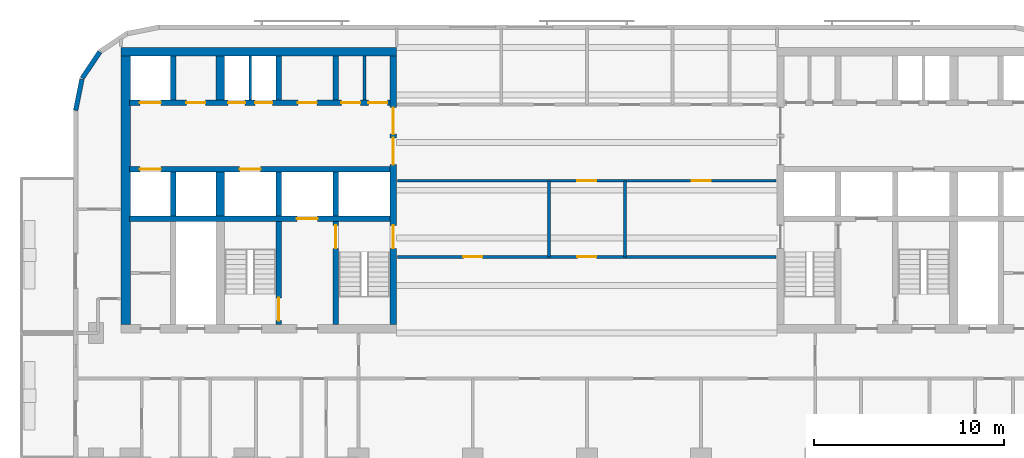
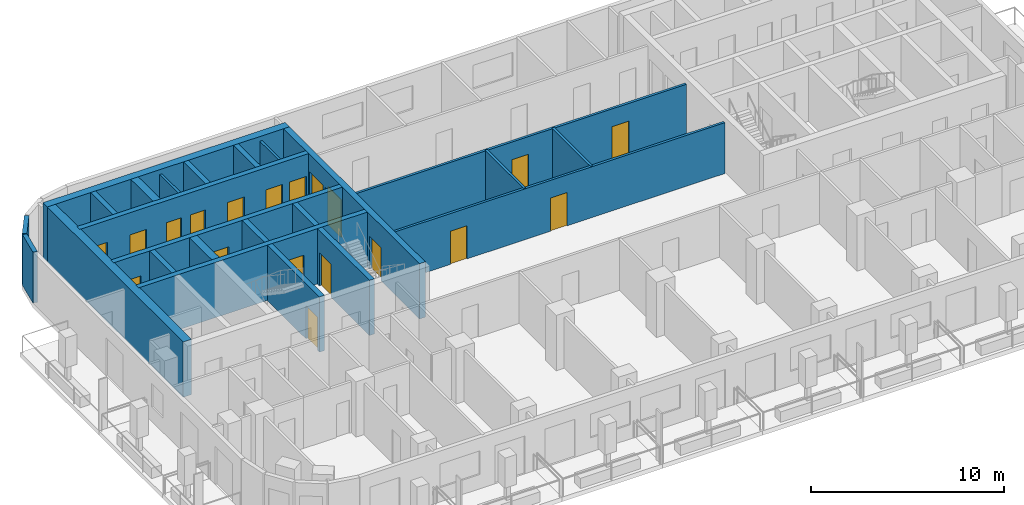
# One storey, part 4 of 11: 24 walls, 19 doors, 19 openings.
"""IFC4 building model written with IfcOpenShell, lengths in metres."""

from ifc_helpers import new_model, si_unit, direction, frame, frame_2d, origin, place, context, subcontext, project, spatial, rectangle, extrude, material, layer, layer_set, type_object, element, fill, save


model = new_model("IFC4")

# Units and contexts
model_context = context("Model", 3, precision=1e-05, world=origin(), true_north=direction((0.0, 1.0)))
body_context = subcontext(model_context, "Body", "Model", "MODEL_VIEW")
ifc_project = project(units=[si_unit("LENGTHUNIT", "METRE"), si_unit("AREAUNIT", "SQUARE_METRE"), si_unit("VOLUMEUNIT", "CUBIC_METRE"), si_unit("PLANEANGLEUNIT", "RADIAN"), si_unit("MASSUNIT", "GRAM", prefix="KILO")], contexts=[model_context])

# Site, building, storey
site_placement = place(None, origin())
site = spatial("IfcSite", under=ifc_project, at=site_placement, CompositionType="ELEMENT")
building_placement = place(site_placement, origin())
building = spatial("IfcBuilding", under=site, at=building_placement, Name="Torana Hotel and Residences", CompositionType="ELEMENT")
storey_placement = place(building_placement, frame((0.0, 0.0, 239.60009765625)))
storey = spatial("IfcBuildingStorey", under=building, at=storey_placement, Name="L63", CompositionType="ELEMENT", Elevation=239.60009765625)

# Wall, openings, doors
ifc_material_1 = material(Name="Concrete C70/85", Category="concrete")
ifc_layer_1 = layer(ifc_material_1, 0.300048828125)
ifc_layer_set_1 = layer_set([ifc_layer_1], Name="CORE WALL 300 C70/85")
wall_type_1 = type_object("IfcWallType", Name="CORE WALL 300 C70/85", PredefinedType="SHEAR", material=ifc_layer_set_1)
wall_1_placement = place(storey_placement, frame((-24.050048828125, -2.89990234375, 0.0), z_axis=(0.0, 0.0, 1.0), x_axis=(1.0, 0.0, 0.0)))
wall_1 = element("IfcWall", 1, at=wall_1_placement, inside=storey, type_object=wall_type_1, Name="Core wall W row-N", PredefinedType="SHEAR", context=body_context, shape_type="SweptSolid", body=[
    extrude(rectangle(XDim=13.699951171875, YDim=0.300048828125, at=frame_2d((6.85009765625, 0.0))), origin(), (0.0, 0.0, 1.0), 3.5),
])
opening_1_placement = place(wall_1_placement, frame((0.550048828125, 0.0, 0.0)))
opening_1 = element("IfcOpeningElement", 2, at=opening_1_placement, cuts=wall_1, Name="Opening LD", PredefinedType="OPENING", context=body_context, shape_type="SweptSolid", body=[
    extrude(rectangle(XDim=1.10009765625, YDim=2.10009765625, at=frame_2d((0.550048828125, 1.050048828125))), frame((0.0, 0.159912109375, 0.0), z_axis=(0.0, -1.0, 0.0), x_axis=(1.0, 0.0, 0.0)), (0.0, 0.0, 1.0), 0.320068359375),
])
opening_2_placement = place(wall_1_placement, frame((6.612548828125, 0.0, 0.0)))
opening_2 = element("IfcOpeningElement", 3, at=opening_2_placement, cuts=wall_1, Name="Opening L63-08", PredefinedType="OPENING", context=body_context, shape_type="SweptSolid", body=[
    extrude(rectangle(XDim=0.89990234375, YDim=2.10009765625, at=frame_2d((0.449951171875, 1.050048828125))), frame((0.0, 0.159912109375, 0.0), z_axis=(0.0, -1.0, 0.0), x_axis=(1.0, 0.0, 0.0)), (0.0, 0.0, 1.0), 0.320068359375),
])
opening_3_placement = place(wall_1_placement, frame((5.1875, 0.0, 0.0)))
opening_3 = element("IfcOpeningElement", 4, at=opening_3_placement, cuts=wall_1, Name="Opening L63-09", PredefinedType="OPENING", context=body_context, shape_type="SweptSolid", body=[
    extrude(rectangle(XDim=0.89990234375, YDim=2.10009765625, at=frame_2d((0.449951171875, 1.050048828125))), frame((0.0, 0.159912109375, 0.0), z_axis=(0.0, -1.0, 0.0), x_axis=(1.0, 0.0, 0.0)), (0.0, 0.0, 1.0), 0.320068359375),
])
opening_4_placement = place(wall_1_placement, frame((12.5625, 0.0, 0.0)))
opening_4 = element("IfcOpeningElement", 5, at=opening_4_placement, cuts=wall_1, Name="Opening L63-10", PredefinedType="OPENING", context=body_context, shape_type="SweptSolid", body=[
    extrude(rectangle(XDim=1.0, YDim=2.10009765625, at=frame_2d((0.5, 1.050048828125))), frame((0.0, 0.159912109375, 0.0), z_axis=(0.0, -1.0, 0.0), x_axis=(1.0, 0.0, 0.0)), (0.0, 0.0, 1.0), 0.320068359375),
])
opening_5_placement = place(wall_1_placement, frame((11.137451171875, 0.0, 0.0)))
opening_5 = element("IfcOpeningElement", 6, at=opening_5_placement, cuts=wall_1, Name="Opening L63-11", PredefinedType="OPENING", context=body_context, shape_type="SweptSolid", body=[
    extrude(rectangle(XDim=1.0, YDim=2.10009765625, at=frame_2d((0.5, 1.050048828125))), frame((0.0, 0.159912109375, 0.0), z_axis=(0.0, -1.0, 0.0), x_axis=(1.0, 0.0, 0.0)), (0.0, 0.0, 1.0), 0.320068359375),
])
opening_6_placement = place(wall_1_placement, frame((8.85009765625, 0.0, 0.0)))
opening_6 = element("IfcOpeningElement", 7, at=opening_6_placement, cuts=wall_1, Name="Opening L63-12", PredefinedType="OPENING", context=body_context, shape_type="SweptSolid", body=[
    extrude(rectangle(XDim=1.0, YDim=2.10009765625, at=frame_2d((0.5, 1.050048828125))), frame((0.0, 0.159912109375, 0.0), z_axis=(0.0, -1.0, 0.0), x_axis=(1.0, 0.0, 0.0)), (0.0, 0.0, 1.0), 0.320068359375),
])
opening_7_placement = place(wall_1_placement, frame((3.0, 0.0, 0.0)))
opening_7 = element("IfcOpeningElement", 8, at=opening_7_placement, cuts=wall_1, Name="Opening L63-13", PredefinedType="OPENING", context=body_context, shape_type="SweptSolid", body=[
    extrude(rectangle(XDim=1.0, YDim=2.10009765625, at=frame_2d((0.5, 1.050048828125))), frame((0.0, 0.159912109375, 0.0), z_axis=(0.0, -1.0, 0.0), x_axis=(1.0, 0.0, 0.0)), (0.0, 0.0, 1.0), 0.320068359375),
])
ifc_material_2 = material(Name="Steel S235", Category="steel")
door_type_1 = type_object("IfcDoorType", Name="CORE ROOM FIRE DOOR D14 1000x2100", OperationType="SINGLE_SWING_LEFT", PredefinedType="DOOR", material=ifc_material_2)
door_1_placement = place(opening_4_placement, origin())
door_1 = element("IfcDoor", 9, at=door_1_placement, inside=storey, type_object=door_type_1, Name="N0A door L63", OperationType="SINGLE_SWING_RIGHT", OverallHeight=2.10009765625, OverallWidth=1.0, PredefinedType="DOOR", context=body_context, shape_type="SweptSolid", body=[
    extrude(rectangle(XDim=1.0, YDim=2.10009765625, at=frame_2d((0.5, 1.050048828125))), frame((0.0, 0.02490234375, 0.0), z_axis=(0.0, -1.0, 0.0), x_axis=(1.0, 0.0, 0.0)), (0.0, 0.0, 1.0), 0.050048828125),
])
fill(opening_4, door_1)
door_2_placement = place(opening_5_placement, origin())
door_2 = element("IfcDoor", 10, at=door_2_placement, inside=storey, type_object=door_type_1, Name="N0B door L63", OperationType="SINGLE_SWING_RIGHT", OverallHeight=2.10009765625, OverallWidth=1.0, PredefinedType="DOOR", context=body_context, shape_type="SweptSolid", body=[
    extrude(rectangle(XDim=1.0, YDim=2.10009765625, at=frame_2d((0.5, 1.050048828125))), frame((0.0, 0.02490234375, 0.0), z_axis=(0.0, -1.0, 0.0), x_axis=(1.0, 0.0, 0.0)), (0.0, 0.0, 1.0), 0.050048828125),
])
fill(opening_5, door_2)
door_3_placement = place(opening_6_placement, origin())
door_3 = element("IfcDoor", 11, at=door_3_placement, inside=storey, type_object=door_type_1, Name="N1 door L63", OperationType="SINGLE_SWING_RIGHT", OverallHeight=2.10009765625, OverallWidth=1.0, PredefinedType="DOOR", context=body_context, shape_type="SweptSolid", body=[
    extrude(rectangle(XDim=1.0, YDim=2.10009765625, at=frame_2d((0.5, 1.050048828125))), frame((0.0, 0.02490234375, 0.0), z_axis=(0.0, -1.0, 0.0), x_axis=(1.0, 0.0, 0.0)), (0.0, 0.0, 1.0), 0.050048828125),
])
fill(opening_6, door_3)
door_4_placement = place(opening_7_placement, origin())
door_4 = element("IfcDoor", 12, at=door_4_placement, inside=storey, type_object=door_type_1, Name="Freed-S1 door L63", OperationType="SINGLE_SWING_RIGHT", OverallHeight=2.10009765625, OverallWidth=1.0, PredefinedType="DOOR", context=body_context, shape_type="SweptSolid", body=[
    extrude(rectangle(XDim=1.0, YDim=2.10009765625, at=frame_2d((0.5, 1.050048828125))), frame((0.0, 0.02490234375, 0.0), z_axis=(0.0, -1.0, 0.0), x_axis=(1.0, 0.0, 0.0)), (0.0, 0.0, 1.0), 0.050048828125),
])
fill(opening_7, door_4)
ifc_material_3 = material(Name="Stainless steel 316", Category="steel")
door_type_2 = type_object("IfcDoorType", Name="LIFT LANDING DOOR LD 1100x2100", OperationType="DOUBLE_DOOR_SLIDING", PredefinedType="USERDEFINED", material=ifc_material_3)
door_5_placement = place(opening_1_placement, origin())
door_5 = element("IfcDoor", 13, at=door_5_placement, inside=storey, type_object=door_type_2, Name="Lift landing door M1 L63", ObjectType="LIFT LANDING DOOR", OperationType="DOUBLE_DOOR_SLIDING", OverallHeight=2.10009765625, OverallWidth=1.10009765625, PredefinedType="USERDEFINED", context=body_context, shape_type="SweptSolid", body=[
    extrude(rectangle(XDim=1.10009765625, YDim=2.10009765625, at=frame_2d((0.550048828125, 1.050048828125))), frame((0.0, 0.02490234375, 0.0), z_axis=(0.0, -1.0, 0.0), x_axis=(1.0, 0.0, 0.0)), (0.0, 0.0, 1.0), 0.050048828125),
])
fill(opening_1, door_5)
ifc_material_4 = material(Name="Steel S235", Category="steel")
door_type_3 = type_object("IfcDoorType", Name="RISER ACCESS DOOR D5 900x2100", OperationType="SINGLE_SWING_LEFT", PredefinedType="DOOR", material=ifc_material_4)
door_6_placement = place(opening_2_placement, origin())
door_6 = element("IfcDoor", 14, at=door_6_placement, inside=storey, type_object=door_type_3, Name="N2A door L63", OperationType="SINGLE_SWING_RIGHT", OverallHeight=2.10009765625, OverallWidth=0.89990234375, PredefinedType="DOOR", context=body_context, shape_type="SweptSolid", body=[
    extrude(rectangle(XDim=0.89990234375, YDim=2.10009765625, at=frame_2d((0.449951171875, 1.050048828125))), frame((0.0, 0.02490234375, 0.0), z_axis=(0.0, -1.0, 0.0), x_axis=(1.0, 0.0, 0.0)), (0.0, 0.0, 1.0), 0.050048828125),
])
fill(opening_2, door_6)
door_7_placement = place(opening_3_placement, origin())
door_7 = element("IfcDoor", 15, at=door_7_placement, inside=storey, type_object=door_type_3, Name="N2B door L63", OperationType="SINGLE_SWING_RIGHT", OverallHeight=2.10009765625, OverallWidth=0.89990234375, PredefinedType="DOOR", context=body_context, shape_type="SweptSolid", body=[
    extrude(rectangle(XDim=0.89990234375, YDim=2.10009765625, at=frame_2d((0.449951171875, 1.050048828125))), frame((0.0, 0.02490234375, 0.0), z_axis=(0.0, -1.0, 0.0), x_axis=(1.0, 0.0, 0.0)), (0.0, 0.0, 1.0), 0.050048828125),
])
fill(opening_3, door_7)

wall_2_placement = place(storey_placement, frame((-24.050048828125, -6.39990234375, 0.0), z_axis=(0.0, 0.0, 1.0), x_axis=(1.0, 0.0, 0.0)))
wall_2 = element("IfcWall", 16, at=wall_2_placement, inside=storey, type_object=wall_type_1, Name="Core wall W row-S", PredefinedType="SHEAR", context=body_context, shape_type="SweptSolid", body=[
    extrude(rectangle(XDim=13.699951171875, YDim=0.300048828125, at=frame_2d((6.85009765625, 0.0))), origin(), (0.0, 0.0, 1.0), 3.5),
])
opening_8_placement = place(wall_2_placement, frame((0.550048828125, 0.0, 0.0)))
opening_8 = element("IfcOpeningElement", 17, at=opening_8_placement, cuts=wall_2, Name="Opening LD", PredefinedType="OPENING", context=body_context, shape_type="SweptSolid", body=[
    extrude(rectangle(XDim=1.10009765625, YDim=2.10009765625, at=frame_2d((0.550048828125, 1.050048828125))), frame((0.0, 0.159912109375, 0.0), z_axis=(0.0, -1.0, 0.0), x_axis=(1.0, 0.0, 0.0)), (0.0, 0.0, 1.0), 0.320068359375),
])
opening_9_placement = place(wall_2_placement, frame((5.800048828125, 0.0, 0.0)))
opening_9 = element("IfcOpeningElement", 18, at=opening_9_placement, cuts=wall_2, Name="Opening LD", PredefinedType="OPENING", context=body_context, shape_type="SweptSolid", body=[
    extrude(rectangle(XDim=1.10009765625, YDim=2.10009765625, at=frame_2d((0.550048828125, 1.050048828125))), frame((0.0, 0.159912109375, 0.0), z_axis=(0.0, -1.0, 0.0), x_axis=(1.0, 0.0, 0.0)), (0.0, 0.0, 1.0), 0.320068359375),
])
door_8_placement = place(opening_8_placement, origin())
door_8 = element("IfcDoor", 19, at=door_8_placement, inside=storey, type_object=door_type_2, Name="Lift landing door M2 L63", ObjectType="LIFT LANDING DOOR", OperationType="DOUBLE_DOOR_SLIDING", OverallHeight=2.10009765625, OverallWidth=1.10009765625, PredefinedType="USERDEFINED", context=body_context, shape_type="SweptSolid", body=[
    extrude(rectangle(XDim=1.10009765625, YDim=2.10009765625, at=frame_2d((0.550048828125, 1.050048828125))), frame((0.0, 0.02490234375, 0.0), z_axis=(0.0, -1.0, 0.0), x_axis=(1.0, 0.0, 0.0)), (0.0, 0.0, 1.0), 0.050048828125),
])
fill(opening_8, door_8)
door_9_placement = place(opening_9_placement, origin())
door_9 = element("IfcDoor", 20, at=door_9_placement, inside=storey, type_object=door_type_2, Name="Lift landing door SV1 L63", ObjectType="LIFT LANDING DOOR", OperationType="DOUBLE_DOOR_SLIDING", OverallHeight=2.10009765625, OverallWidth=1.10009765625, PredefinedType="USERDEFINED", context=body_context, shape_type="SweptSolid", body=[
    extrude(rectangle(XDim=1.10009765625, YDim=2.10009765625, at=frame_2d((0.550048828125, 1.050048828125))), frame((0.0, 0.02490234375, 0.0), z_axis=(0.0, -1.0, 0.0), x_axis=(1.0, 0.0, 0.0)), (0.0, 0.0, 1.0), 0.050048828125),
])
fill(opening_9, door_9)

# Wall, opening, door
wall_3_placement = place(storey_placement, frame((-24.050048828125, -9.0, 0.0), z_axis=(0.0, 0.0, 1.0), x_axis=(1.0, 0.0, 0.0)))
wall_3 = element("IfcWall", 21, at=wall_3_placement, inside=storey, type_object=wall_type_1, Name="Core wall W band", PredefinedType="SHEAR", context=body_context, shape_type="SweptSolid", body=[
    extrude(rectangle(XDim=13.699951171875, YDim=0.300048828125, at=frame_2d((6.85009765625, 0.0))), origin(), (0.0, 0.0, 1.0), 3.5),
])
opening_10_placement = place(wall_3_placement, frame((8.800048828125, 0.0, 0.0)))
opening_10 = element("IfcOpeningElement", 22, at=opening_10_placement, cuts=wall_3, Name="Opening LD", PredefinedType="OPENING", context=body_context, shape_type="SweptSolid", body=[
    extrude(rectangle(XDim=1.10009765625, YDim=2.10009765625, at=frame_2d((0.550048828125, 1.050048828125))), frame((0.0, 0.159912109375, 0.0), z_axis=(0.0, -1.0, 0.0), x_axis=(1.0, 0.0, 0.0)), (0.0, 0.0, 1.0), 0.320068359375),
])
door_10_placement = place(opening_10_placement, origin())
door_10 = element("IfcDoor", 23, at=door_10_placement, inside=storey, type_object=door_type_2, Name="Lift landing door FF1 L63", ObjectType="LIFT LANDING DOOR", OperationType="DOUBLE_DOOR_SLIDING", OverallHeight=2.10009765625, OverallWidth=1.10009765625, PredefinedType="USERDEFINED", context=body_context, shape_type="SweptSolid", body=[
    extrude(rectangle(XDim=1.10009765625, YDim=2.10009765625, at=frame_2d((0.550048828125, 1.050048828125))), frame((0.0, 0.02490234375, 0.0), z_axis=(0.0, -1.0, 0.0), x_axis=(1.0, 0.0, 0.0)), (0.0, 0.0, 1.0), 0.050048828125),
])
fill(opening_10, door_10)

# Walls
for number, where, z_axis, x_axis, name in (
    (24, (-13.199951171875, -2.75, 0.0), (0.0, 0.0, 1.0), (0.0, 1.0, 0.0), "Core wall W x3.05-N"),
    (25, (-13.199951171875, -8.85009765625, 0.0), (0.0, 0.0, 1.0), (0.0, 1.0, 0.0), "Core wall W x3.05-S"),
):
    element("IfcWall", number, at=place(storey_placement, frame(where, z_axis=z_axis, x_axis=x_axis)), inside=storey, type_object=wall_type_1, Name=name, PredefinedType="SHEAR", context=body_context, shape_type="SweptSolid", body=[
        extrude(rectangle(XDim=2.300048828125, YDim=0.300048828125, at=frame_2d((1.14990234375, 0.0))), origin(), (0.0, 0.0, 1.0), 3.5),
    ])

# Wall, opening, door
wall_4_placement = place(storey_placement, frame((-13.199951171875, -14.550048828125, 0.0), z_axis=(0.0, 0.0, 1.0), x_axis=(0.0, 1.0, 0.0)))
wall_4 = element("IfcWall", 26, at=wall_4_placement, inside=storey, type_object=wall_type_1, Name="Core wall W x3.05-band", PredefinedType="SHEAR", context=body_context, shape_type="SweptSolid", body=[
    extrude(rectangle(XDim=5.400146484375, YDim=0.300048828125, at=frame_2d((2.7001953125, 0.0))), origin(), (0.0, 0.0, 1.0), 3.5),
])
opening_11_placement = place(wall_4_placement, frame((4.0, 0.0, 0.0)))
opening_11 = element("IfcOpeningElement", 27, at=opening_11_placement, cuts=wall_4, Name="Opening L63-14", PredefinedType="OPENING", context=body_context, shape_type="SweptSolid", body=[
    extrude(rectangle(XDim=1.199951171875, YDim=2.10009765625, at=frame_2d((0.60009765625, 1.050048828125))), frame((0.0, 0.159912109375, 0.0), z_axis=(0.0, -1.0, 0.0), x_axis=(1.0, 0.0, 0.0)), (0.0, 0.0, 1.0), 0.320068359375),
])
ifc_material_5 = material(Name="Steel S235", Category="steel")
door_type_4 = type_object("IfcDoorType", Name="STAIR FIRE DOOR D3 1200x2100", OperationType="SINGLE_SWING_LEFT", PredefinedType="DOOR", material=ifc_material_5)
door_11_placement = place(opening_11_placement, frame((0.60009765625, 0.0, 0.0), z_axis=(0.0, 0.0, 1.0), x_axis=(-1.0, 0.0, 0.0)))
door_11 = element("IfcDoor", 28, at=door_11_placement, inside=storey, type_object=door_type_4, Name="Stair-A-lobby door L63", OperationType="SINGLE_SWING_RIGHT", OverallHeight=2.10009765625, OverallWidth=1.199951171875, PredefinedType="DOOR", context=body_context, shape_type="SweptSolid", body=[
    extrude(rectangle(XDim=1.199951171875, YDim=2.10009765625, at=frame_2d((0.0, 1.050048828125))), frame((0.0, -0.02490234375, 0.0), z_axis=(0.0, 1.0, 0.0), x_axis=(-1.0, 0.0, 0.0)), (0.0, 0.0, 1.0), 0.050048828125),
])
fill(opening_11, door_11)

# Walls
for number, where, z_axis, x_axis, name in (
    (29, (-16.199951171875, -2.75, 0.0), (0.0, 0.0, 1.0), (0.0, 1.0, 0.0), "Core wall W x6.05-N"),
    (30, (-16.199951171875, -8.85009765625, 0.0), (0.0, 0.0, 1.0), (0.0, 1.0, 0.0), "Core wall W x6.05-S"),
):
    element("IfcWall", number, at=place(storey_placement, frame(where, z_axis=z_axis, x_axis=x_axis)), inside=storey, type_object=wall_type_1, Name=name, PredefinedType="SHEAR", context=body_context, shape_type="SweptSolid", body=[
        extrude(rectangle(XDim=2.300048828125, YDim=0.300048828125, at=frame_2d((1.14990234375, 0.0))), origin(), (0.0, 0.0, 1.0), 3.5),
    ])

# Wall, opening, door
wall_5_placement = place(storey_placement, frame((-16.199951171875, -14.550048828125, 0.0), z_axis=(0.0, 0.0, 1.0), x_axis=(0.0, 1.0, 0.0)))
wall_5 = element("IfcWall", 31, at=wall_5_placement, inside=storey, type_object=wall_type_1, Name="Core wall W x6.05-band", PredefinedType="SHEAR", context=body_context, shape_type="SweptSolid", body=[
    extrude(rectangle(XDim=5.400146484375, YDim=0.300048828125, at=frame_2d((2.7001953125, 0.0))), origin(), (0.0, 0.0, 1.0), 3.5),
])
opening_12_placement = place(wall_5_placement, frame((0.199951171875, 0.0, 0.0)))
opening_12 = element("IfcOpeningElement", 32, at=opening_12_placement, cuts=wall_5, Name="Opening L63-15", PredefinedType="OPENING", context=body_context, shape_type="SweptSolid", body=[
    extrude(rectangle(XDim=1.199951171875, YDim=2.10009765625, at=frame_2d((0.60009765625, 1.050048828125))), frame((0.0, 0.159912109375, 0.0), z_axis=(0.0, -1.0, 0.0), x_axis=(1.0, 0.0, 0.0)), (0.0, 0.0, 1.0), 0.320068359375),
])
door_12_placement = place(opening_12_placement, origin())
door_12 = element("IfcDoor", 33, at=door_12_placement, inside=storey, type_object=door_type_4, Name="Stair-B-lobby door L63", OperationType="SINGLE_SWING_RIGHT", OverallHeight=2.10009765625, OverallWidth=1.199951171875, PredefinedType="DOOR", context=body_context, shape_type="SweptSolid", body=[
    extrude(rectangle(XDim=1.199951171875, YDim=2.10009765625, at=frame_2d((0.60009765625, 1.050048828125))), frame((0.0, 0.02490234375, 0.0), z_axis=(0.0, -1.0, 0.0), x_axis=(1.0, 0.0, 0.0)), (0.0, 0.0, 1.0), 0.050048828125),
])
fill(opening_12, door_12)

# Walls
for number, where, z_axis, x_axis, name in (
    (34, (-21.75, -2.75, 0.0), (0.0, 0.0, 1.0), (0.0, 1.0, 0.0), "Core wall W mm-N"),
    (35, (-21.75, -8.85009765625, 0.0), (0.0, 0.0, 1.0), (0.0, 1.0, 0.0), "Core wall W mm-S"),
):
    element("IfcWall", number, at=place(storey_placement, frame(where, z_axis=z_axis, x_axis=x_axis)), inside=storey, type_object=wall_type_1, Name=name, PredefinedType="SHEAR", context=body_context, shape_type="SweptSolid", body=[
        extrude(rectangle(XDim=2.300048828125, YDim=0.300048828125, at=frame_2d((1.14990234375, 0.0))), origin(), (0.0, 0.0, 1.0), 3.5),
    ])

# Wall, openings, doors
ifc_material_6 = material(Name="Concrete C70/85", Category="concrete")
ifc_layer_2 = layer(ifc_material_6, 0.35009765625)
ifc_layer_set_2 = layer_set([ifc_layer_2], Name="CORE WALL 350 C70/85")
wall_type_2 = type_object("IfcWallType", Name="CORE WALL 350 C70/85", PredefinedType="SHEAR", material=ifc_layer_set_2)
wall_6_placement = place(storey_placement, frame((-10.175048828125, -14.550048828125, 0.0), z_axis=(0.0, 0.0, 1.0), x_axis=(0.0, 1.0, 0.0)))
wall_6 = element("IfcWall", 36, at=wall_6_placement, inside=storey, type_object=wall_type_2, Name="Core wall W arch", PredefinedType="SHEAR", context=body_context, shape_type="SweptSolid", body=[
    extrude(rectangle(XDim=14.10009765625, YDim=0.35009765625, at=frame_2d((7.050048828125, 0.0))), origin(), (0.0, 0.0, 1.0), 3.5),
])
opening_13_placement = place(wall_6_placement, frame((8.39990234375, 0.0, 0.0)))
opening_13 = element("IfcOpeningElement", 37, at=opening_13_placement, cuts=wall_6, Name="Opening L63-01", PredefinedType="OPENING", context=body_context, shape_type="SweptSolid", body=[
    extrude(rectangle(XDim=1.39990234375, YDim=2.39990234375, at=frame_2d((0.699951171875, 1.199951171875))), frame((0.0, 0.18505859375, 0.0), z_axis=(0.0, -1.0, 0.0), x_axis=(1.0, 0.0, 0.0)), (0.0, 0.0, 1.0), 0.3701171875),
])
opening_14_placement = place(wall_6_placement, frame((10.0, 0.0, 0.0)))
opening_14 = element("IfcOpeningElement", 38, at=opening_14_placement, cuts=wall_6, Name="Opening L63-02", PredefinedType="OPENING", context=body_context, shape_type="SweptSolid", body=[
    extrude(rectangle(XDim=1.39990234375, YDim=2.39990234375, at=frame_2d((0.699951171875, 1.199951171875))), frame((0.0, 0.18505859375, 0.0), z_axis=(0.0, -1.0, 0.0), x_axis=(1.0, 0.0, 0.0)), (0.0, 0.0, 1.0), 0.3701171875),
])
opening_15_placement = place(wall_6_placement, frame((4.0, 0.0, 0.0)))
opening_15 = element("IfcOpeningElement", 39, at=opening_15_placement, cuts=wall_6, Name="Opening L63-03", PredefinedType="OPENING", context=body_context, shape_type="SweptSolid", body=[
    extrude(rectangle(XDim=1.199951171875, YDim=2.10009765625, at=frame_2d((0.60009765625, 1.050048828125))), frame((0.0, 0.18505859375, 0.0), z_axis=(0.0, -1.0, 0.0), x_axis=(1.0, 0.0, 0.0)), (0.0, 0.0, 1.0), 0.3701171875),
])
ifc_material_7 = material(Name="Steel S235", Category="steel")
door_type_5 = type_object("IfcDoorType", Name="LOBBY FIRE DOOR D4 1400x2400", OperationType="DOUBLE_DOOR_SINGLE_SWING", PredefinedType="DOOR", material=ifc_material_7)
door_13_placement = place(opening_13_placement, origin())
door_13 = element("IfcDoor", 40, at=door_13_placement, inside=storey, type_object=door_type_5, Name="Lobby-1 door L63", OperationType="DOUBLE_DOOR_SINGLE_SWING", OverallHeight=2.39990234375, OverallWidth=1.39990234375, PredefinedType="DOOR", context=body_context, shape_type="SweptSolid", body=[
    extrude(rectangle(XDim=1.39990234375, YDim=2.39990234375, at=frame_2d((0.699951171875, 1.199951171875))), frame((0.0, 0.02490234375, 0.0), z_axis=(0.0, -1.0, 0.0), x_axis=(1.0, 0.0, 0.0)), (0.0, 0.0, 1.0), 0.050048828125),
])
fill(opening_13, door_13)
door_14_placement = place(opening_14_placement, origin())
door_14 = element("IfcDoor", 41, at=door_14_placement, inside=storey, type_object=door_type_5, Name="Lobby-2 door L63", OperationType="DOUBLE_DOOR_SINGLE_SWING", OverallHeight=2.39990234375, OverallWidth=1.39990234375, PredefinedType="DOOR", context=body_context, shape_type="SweptSolid", body=[
    extrude(rectangle(XDim=1.39990234375, YDim=2.39990234375, at=frame_2d((0.699951171875, 1.199951171875))), frame((0.0, 0.02490234375, 0.0), z_axis=(0.0, -1.0, 0.0), x_axis=(1.0, 0.0, 0.0)), (0.0, 0.0, 1.0), 0.050048828125),
])
fill(opening_14, door_14)
door_15_placement = place(opening_15_placement, origin())
door_15 = element("IfcDoor", 42, at=door_15_placement, inside=storey, type_object=door_type_4, Name="Stair-A door L63", OperationType="SINGLE_SWING_LEFT", OverallHeight=2.10009765625, OverallWidth=1.199951171875, PredefinedType="DOOR", context=body_context, shape_type="SweptSolid", body=[
    extrude(rectangle(XDim=1.199951171875, YDim=2.10009765625, at=frame_2d((0.60009765625, 1.050048828125))), frame((0.0, 0.02490234375, 0.0), z_axis=(0.0, -1.0, 0.0), x_axis=(1.0, 0.0, 0.0)), (0.0, 0.0, 1.0), 0.050048828125),
])
fill(opening_15, door_15)

# Walls
ifc_material_8 = material(Name="Concrete C70/85", Category="concrete")
ifc_layer_3 = layer(ifc_material_8, 0.449951171875)
ifc_layer_set_3 = layer_set([ifc_layer_3], Name="CORE WALL 450 C70/85")
wall_type_3 = type_object("IfcWallType", Name="CORE WALL 450 C70/85", PredefinedType="SHEAR", material=ifc_layer_set_3)
wall_7_placement = place(storey_placement, frame((-24.5, -0.22509765625, 0.0), z_axis=(0.0, 0.0, 1.0), x_axis=(1.0, 0.0, 0.0)))
element("IfcWall", 43, at=wall_7_placement, inside=storey, type_object=wall_type_3, Name="Core wall W rear", PredefinedType="SHEAR", context=body_context, shape_type="SweptSolid", body=[
    extrude(rectangle(XDim=14.5, YDim=0.449951171875, at=frame_2d((7.25, 0.0))), origin(), (0.0, 0.0, 1.0), 3.5),
])
for number, where, z_axis, x_axis, name in (
    (44, (-19.27490234375, -2.75, 0.0), (0.0, 0.0, 1.0), (0.0, 1.0, 0.0), "Core wall W hm-N"),
    (45, (-19.27490234375, -8.85009765625, 0.0), (0.0, 0.0, 1.0), (0.0, 1.0, 0.0), "Core wall W hm-S"),
):
    element("IfcWall", number, at=place(storey_placement, frame(where, z_axis=z_axis, x_axis=x_axis)), inside=storey, type_object=wall_type_3, Name=name, PredefinedType="SHEAR", context=body_context, shape_type="SweptSolid", body=[
        extrude(rectangle(XDim=2.300048828125, YDim=0.449951171875, at=frame_2d((1.14990234375, 0.0))), origin(), (0.0, 0.0, 1.0), 3.5),
    ])
ifc_material_9 = material(Name="Concrete C70/85", Category="concrete")
ifc_layer_4 = layer(ifc_material_9, 0.5)
ifc_layer_set_4 = layer_set([ifc_layer_4], Name="CORE WALL 500 C70/85")
wall_type_4 = type_object("IfcWallType", Name="CORE WALL 500 C70/85", PredefinedType="SHEAR", material=ifc_layer_set_4)
wall_8_placement = place(storey_placement, frame((-24.25, -14.550048828125, 0.0), z_axis=(0.0, 0.0, 1.0), x_axis=(0.0, 1.0, 0.0)))
element("IfcWall", 46, at=wall_8_placement, inside=storey, type_object=wall_type_4, Name="Core wall W outer", PredefinedType="SHEAR", context=body_context, shape_type="SweptSolid", body=[
    extrude(rectangle(XDim=14.10009765625, YDim=0.5, at=frame_2d((7.050048828125, 0.0))), origin(), (0.0, 0.0, 1.0), 3.5),
])
ifc_material_10 = material(Name="Black aluminium composite panel", Category="aluminium")
ifc_layer_5 = layer(ifc_material_10, 0.00390625, Name="Cladding", Category="cladding")
ifc_material_11 = material(Name="Ventilated air cavity")
ifc_layer_6 = layer(ifc_material_11, 0.0400390625, Name="Ventilated cavity", Category="cavity")
ifc_material_12 = material(Name="Mineral wool insulation")
ifc_layer_7 = layer(ifc_material_12, 0.090087890625, Name="Insulation", Category="insulation")
ifc_material_13 = material(Name="Steel S280GD", Category="steel")
ifc_layer_8 = layer(ifc_material_13, 0.092041015625, Name="Steel stud frame", Category="structure")
ifc_material_14 = material(Name="Fire rated plasterboard")
ifc_layer_9 = layer(ifc_material_14, 0.011962890625, Name="Inner board", Category="finish")
ifc_layer_10 = layer(ifc_material_14, 0.011962890625, Name="Second board", Category="finish")
ifc_layer_set_5 = layer_set([ifc_layer_5, ifc_layer_6, ifc_layer_7, ifc_layer_8, ifc_layer_9, ifc_layer_10], Name="EW1 EXTERNAL WALL BLACK METAL CLAD 250")
wall_type_5 = type_object("IfcWallType", Name="EW1 EXTERNAL WALL BLACK METAL CLAD 250", PredefinedType="SOLIDWALL", material=ifc_layer_set_5)
wall_9_placement = place(storey_placement, frame((-25.605712890625, -0.228759765625, 0.0), z_axis=(0.0, 0.0, 1.0), x_axis=(-0.55555029066, -0.831482937015, 0.0)))
element("IfcWall", 47, at=wall_9_placement, inside=storey, type_object=wall_type_5, Name="External wall L63 e0.7", PredefinedType="SOLIDWALL", context=body_context, shape_type="SweptSolid", body=[
    extrude(rectangle(XDim=1.65625, YDim=0.25, at=frame_2d((0.828125, 0.0))), origin(), (0.0, 0.0, 1.0), 3.219970703125),
])
wall_10_placement = place(storey_placement, frame((-26.544677734375, -1.651123046875, 0.0), z_axis=(0.0, 0.0, 1.0), x_axis=(-0.194999110559, -0.980803419081, 0.0)))
element("IfcWall", 48, at=wall_10_placement, inside=storey, type_object=wall_type_5, Name="External wall L63 e0.8", PredefinedType="SOLIDWALL", context=body_context, shape_type="SweptSolid", body=[
    extrude(rectangle(XDim=1.681396484375, YDim=0.25, at=frame_2d((0.8408203125, 0.0))), origin(), (0.0, 0.0, 1.0), 3.219970703125),
])
ifc_material_15 = material(Name="Gypsum plaster")
ifc_layer_11 = layer(ifc_material_15, 0.014892578125, Name="Plaster", Category="finish")
ifc_material_16 = material(Name="Concrete blockwork", Category="masonry")
ifc_layer_12 = layer(ifc_material_16, 0.1201171875, Name="Blockwork", Category="structure")
ifc_layer_13 = layer(ifc_material_15, 0.014892578125, Name="Plaster", Category="finish")
ifc_layer_set_6 = layer_set([ifc_layer_11, ifc_layer_12, ifc_layer_13], Name="FIRE PARTITION 150 BLOCKWORK")
wall_type_6 = type_object("IfcWallType", Name="FIRE PARTITION 150 BLOCKWORK", PredefinedType="PARTITIONING", material=ifc_layer_set_6)
for number, where, z_axis, x_axis, name in (
    (49, (-17.699951171875, -2.75, 0.0), (0.0, 0.0, 1.0), (0.0, 1.0, 0.0), "Core partition L63"),
    (50, (-11.699951171875, -2.75, 0.0), (0.0, 0.0, 1.0), (0.0, 1.0, 0.0), "Core partition L63"),
):
    element("IfcWall", number, at=place(storey_placement, frame(where, z_axis=z_axis, x_axis=x_axis)), inside=storey, type_object=wall_type_6, Name=name, PredefinedType="PARTITIONING", context=body_context, shape_type="SweptSolid", body=[
        extrude(rectangle(XDim=2.300048828125, YDim=0.14990234375, at=frame_2d((1.14990234375, 0.0))), origin(), (0.0, 0.0, 1.0), 3.199951171875),
    ])
for number, where, z_axis, x_axis, name in (
    (51, (2.0, -11.0, 0.0), (0.0, 0.0, 1.0), (0.0, 1.0, 0.0), "Partition L63"),
    (52, (-2.0, -11.0, 0.0), (0.0, 0.0, 1.0), (0.0, 1.0, 0.0), "Partition L63"),
):
    element("IfcWall", number, at=place(storey_placement, frame(where, z_axis=z_axis, x_axis=x_axis)), inside=storey, type_object=wall_type_6, Name=name, PredefinedType="PARTITIONING", context=body_context, shape_type="SweptSolid", body=[
        extrude(rectangle(XDim=4.0, YDim=0.14990234375, at=frame_2d((2.0, 0.0))), origin(), (0.0, 0.0, 1.0), 3.219970703125),
    ])

# Wall, openings, doors
wall_11_placement = place(storey_placement, frame((-9.949951171875, -11.0, 0.0), z_axis=(0.0, 0.0, 1.0), x_axis=(1.0, 0.0, 0.0)))
wall_11 = element("IfcWall", 53, at=wall_11_placement, inside=storey, type_object=wall_type_6, Name="Partition L63", PredefinedType="PARTITIONING", context=body_context, shape_type="SweptSolid", body=[
    extrude(rectangle(XDim=19.89990234375, YDim=0.14990234375, at=frame_2d((9.949951171875, 0.0))), origin(), (0.0, 0.0, 1.0), 3.219970703125),
])
opening_16_placement = place(wall_11_placement, frame((9.449951171875, 0.0, 0.0)))
opening_16 = element("IfcOpeningElement", 54, at=opening_16_placement, cuts=wall_11, Name="Opening L63-42", PredefinedType="OPENING", context=body_context, shape_type="SweptSolid", body=[
    extrude(rectangle(XDim=1.0, YDim=2.10009765625, at=frame_2d((0.5, 1.050048828125))), frame((0.0, 0.0849609375, 0.0), z_axis=(0.0, -1.0, 0.0), x_axis=(1.0, 0.0, 0.0)), (0.0, 0.0, 1.0), 0.169921875),
])
opening_17_placement = place(wall_11_placement, frame((3.449951171875, 0.0, 0.0)))
opening_17 = element("IfcOpeningElement", 55, at=opening_17_placement, cuts=wall_11, Name="Opening L63-47", PredefinedType="OPENING", context=body_context, shape_type="SweptSolid", body=[
    extrude(rectangle(XDim=1.0, YDim=2.10009765625, at=frame_2d((0.5, 1.050048828125))), frame((0.0, 0.0849609375, 0.0), z_axis=(0.0, -1.0, 0.0), x_axis=(1.0, 0.0, 0.0)), (0.0, 0.0, 1.0), 0.169921875),
])
ifc_material_17 = material(Name="Steel S235", Category="steel")
door_type_6 = type_object("IfcDoorType", Name="ENTRY FIRE DOOR D6 1000x2100", OperationType="SINGLE_SWING_LEFT", PredefinedType="DOOR", material=ifc_material_17)
door_16_placement = place(opening_16_placement, origin())
door_16 = element("IfcDoor", 56, at=door_16_placement, inside=storey, type_object=door_type_6, Name="Door L63", OperationType="SINGLE_SWING_RIGHT", OverallHeight=2.10009765625, OverallWidth=1.0, PredefinedType="DOOR", context=body_context, shape_type="SweptSolid", body=[
    extrude(rectangle(XDim=1.0, YDim=2.10009765625, at=frame_2d((0.5, 1.050048828125))), frame((0.0, 0.02490234375, 0.0), z_axis=(0.0, -1.0, 0.0), x_axis=(1.0, 0.0, 0.0)), (0.0, 0.0, 1.0), 0.050048828125),
])
fill(opening_16, door_16)
door_17_placement = place(opening_17_placement, origin())
door_17 = element("IfcDoor", 57, at=door_17_placement, inside=storey, type_object=door_type_6, Name="Door L63", OperationType="SINGLE_SWING_RIGHT", OverallHeight=2.10009765625, OverallWidth=1.0, PredefinedType="DOOR", context=body_context, shape_type="SweptSolid", body=[
    extrude(rectangle(XDim=1.0, YDim=2.10009765625, at=frame_2d((0.5, 1.050048828125))), frame((0.0, 0.02490234375, 0.0), z_axis=(0.0, -1.0, 0.0), x_axis=(1.0, 0.0, 0.0)), (0.0, 0.0, 1.0), 0.050048828125),
])
fill(opening_17, door_17)

wall_12_placement = place(storey_placement, frame((-9.949951171875, -7.0, 0.0), z_axis=(0.0, 0.0, 1.0), x_axis=(1.0, 0.0, 0.0)))
wall_12 = element("IfcWall", 58, at=wall_12_placement, inside=storey, type_object=wall_type_6, Name="Partition L63", PredefinedType="PARTITIONING", context=body_context, shape_type="SweptSolid", body=[
    extrude(rectangle(XDim=19.89990234375, YDim=0.14990234375, at=frame_2d((9.949951171875, 0.0))), origin(), (0.0, 0.0, 1.0), 3.219970703125),
])
opening_18_placement = place(wall_12_placement, frame((9.449951171875, 0.0, 0.0)))
opening_18 = element("IfcOpeningElement", 59, at=opening_18_placement, cuts=wall_12, Name="Opening L63-48", PredefinedType="OPENING", context=body_context, shape_type="SweptSolid", body=[
    extrude(rectangle(XDim=1.0, YDim=2.10009765625, at=frame_2d((0.5, 1.050048828125))), frame((0.0, 0.0849609375, 0.0), z_axis=(0.0, -1.0, 0.0), x_axis=(1.0, 0.0, 0.0)), (0.0, 0.0, 1.0), 0.169921875),
])
opening_19_placement = place(wall_12_placement, frame((15.449951171875, 0.0, 0.0)))
opening_19 = element("IfcOpeningElement", 60, at=opening_19_placement, cuts=wall_12, Name="Opening L63-49", PredefinedType="OPENING", context=body_context, shape_type="SweptSolid", body=[
    extrude(rectangle(XDim=1.0, YDim=2.10009765625, at=frame_2d((0.5, 1.050048828125))), frame((0.0, 0.0849609375, 0.0), z_axis=(0.0, -1.0, 0.0), x_axis=(1.0, 0.0, 0.0)), (0.0, 0.0, 1.0), 0.169921875),
])
door_18_placement = place(opening_18_placement, origin())
door_18 = element("IfcDoor", 61, at=door_18_placement, inside=storey, type_object=door_type_6, Name="Door L63", OperationType="SINGLE_SWING_RIGHT", OverallHeight=2.10009765625, OverallWidth=1.0, PredefinedType="DOOR", context=body_context, shape_type="SweptSolid", body=[
    extrude(rectangle(XDim=1.0, YDim=2.10009765625, at=frame_2d((0.5, 1.050048828125))), frame((0.0, 0.02490234375, 0.0), z_axis=(0.0, -1.0, 0.0), x_axis=(1.0, 0.0, 0.0)), (0.0, 0.0, 1.0), 0.050048828125),
])
fill(opening_18, door_18)
door_19_placement = place(opening_19_placement, frame((0.5, 0.0, 0.0), z_axis=(0.0, 0.0, 1.0), x_axis=(-1.0, 0.0, 0.0)))
door_19 = element("IfcDoor", 62, at=door_19_placement, inside=storey, type_object=door_type_6, Name="Door L63", OperationType="SINGLE_SWING_LEFT", OverallHeight=2.10009765625, OverallWidth=1.0, PredefinedType="DOOR", context=body_context, shape_type="SweptSolid", body=[
    extrude(rectangle(XDim=1.0, YDim=2.10009765625, at=frame_2d((0.0, 1.050048828125))), frame((0.0, -0.02490234375, 0.0), z_axis=(0.0, 1.0, 0.0), x_axis=(-1.0, 0.0, 0.0)), (0.0, 0.0, 1.0), 0.050048828125),
])
fill(opening_19, door_19)

save(model, "model.ifc")
